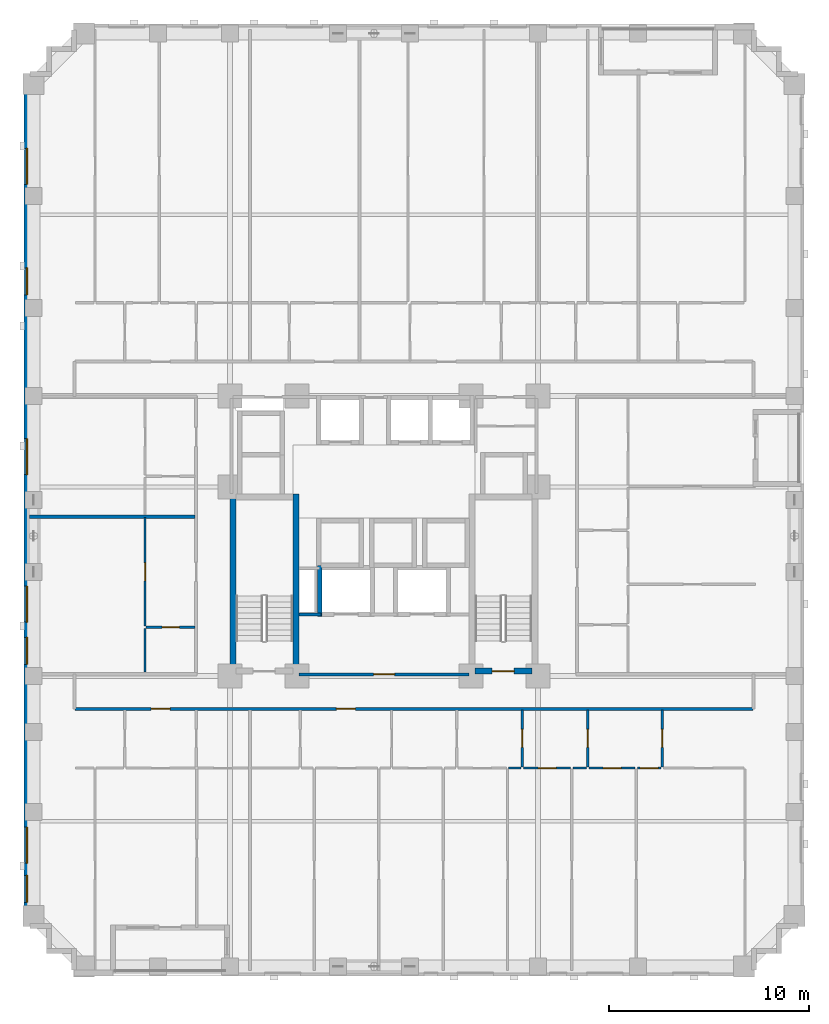
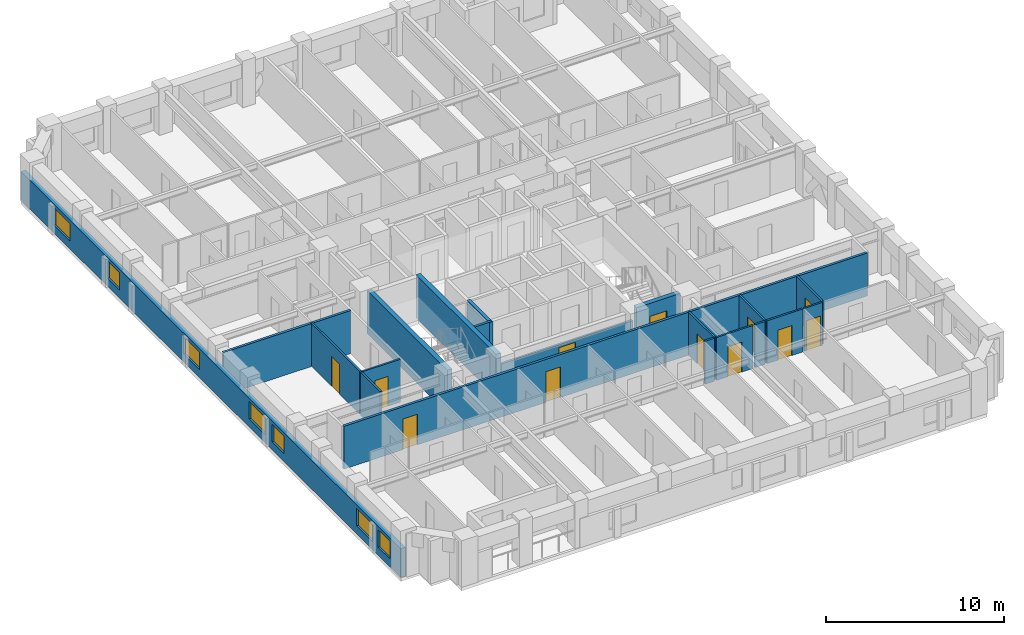
# One storey, part 4 of 14: 20 walls, 12 doors, 7 windows, 19 openings.
"""IFC4 building model written with IfcOpenShell, lengths in metres."""

from ifc_helpers import new_model, si_unit, derived_unit, direction, frame, frame_2d, origin, place, context, subcontext, project, spatial, rectangle, extrude, material, layer, layer_set, type_object, element, fill, save


model = new_model("IFC4")

# Units and contexts
model_context = context("Model", 3, precision=1e-05, world=origin(), true_north=direction((0.0, 1.0)))
body_context = subcontext(model_context, "Body", "Model", "MODEL_VIEW")
ifc_project = project(units=[si_unit("LENGTHUNIT", "METRE"), si_unit("AREAUNIT", "SQUARE_METRE"), si_unit("VOLUMEUNIT", "CUBIC_METRE"), si_unit("PLANEANGLEUNIT", "RADIAN"), si_unit("MASSUNIT", "GRAM", prefix="KILO"), derived_unit("THERMALTRANSMITTANCEUNIT", [(si_unit("MASSUNIT", "GRAM", prefix="KILO"), 1), (si_unit("TIMEUNIT", "SECOND"), -3), (si_unit("THERMODYNAMICTEMPERATUREUNIT", "KELVIN"), -1)])], contexts=[model_context])

# Site, building, storey
site_placement = place(None, origin())
site = spatial("IfcSite", under=ifc_project, at=site_placement, CompositionType="ELEMENT")
building_placement = place(site_placement, origin())
building = spatial("IfcBuilding", under=site, at=building_placement, Name="Korrvale Station Residences", CompositionType="ELEMENT")
storey_placement = place(building_placement, frame((0.0, 0.0, 61.0)))
storey = spatial("IfcBuildingStorey", under=building, at=storey_placement, Name="L16", CompositionType="ELEMENT", Elevation=61.0)

# Walls
ifc_material_1 = material(Name="Concrete C70/85", Category="concrete")
ifc_layer_1 = layer(ifc_material_1, 0.300048828125, Name="Concrete C70/85")
ifc_layer_set_1 = layer_set([ifc_layer_1], Name="Concrete C70/85")
wall_type_1 = type_object("IfcWallType", Name="WAL-CORE-300-C70", PredefinedType="SHEAR", material=ifc_layer_set_1)
for number, where, z_axis, x_axis, name in (
    (1, (17.949951171875, 15.10009765625, 0.0), (0.0, 0.0, 1.0), (0.0, 1.0, 0.0), "L16 ST-1 Core Shear Wall West"),
    (2, (21.10009765625, 15.10009765625, 0.0), (0.0, 0.0, 1.0), (0.0, 1.0, 0.0), "L16 ST-1 Core Shear Wall East"),
):
    element("IfcWall", number, at=place(storey_placement, frame(where, z_axis=z_axis, x_axis=x_axis)), inside=storey, type_object=wall_type_1, Name=name, PredefinedType="SHEAR", context=body_context, shape_type="SweptSolid", body=[
        extrude(rectangle(XDim=9.0, YDim=0.300048828125, at=frame_2d((4.5, 0.0))), origin(), (0.0, 0.0, 1.0), 2.93994140625),
    ])

# Wall, opening, door
wall_1_placement = place(storey_placement, frame((30.050048828125, 15.25, 0.0), z_axis=(0.0, 0.0, 1.0), x_axis=(1.0, 0.0, 0.0)))
wall_1 = element("IfcWall", 3, at=wall_1_placement, inside=storey, type_object=wall_type_1, Name="L16 ST-2 Core Shear Wall South", PredefinedType="SHEAR", context=body_context, shape_type="SweptSolid", body=[
    extrude(rectangle(XDim=2.849853515625, YDim=0.300048828125, at=frame_2d((1.4248046875, 0.0))), origin(), (0.0, 0.0, 1.0), 2.93994140625),
])
opening_1_placement = place(wall_1_placement, frame((0.860107421875, 0.0, 0.0)))
opening_1 = element("IfcOpeningElement", 4, at=opening_1_placement, cuts=wall_1, Name="Opening SD-1100", PredefinedType="OPENING", context=body_context, shape_type="SweptSolid", body=[
    extrude(rectangle(XDim=1.10009765625, YDim=2.050048828125, at=frame_2d((0.550048828125, 1.02490234375))), frame((0.0, 0.16015625, 0.0), z_axis=(0.0, -1.0, 0.0), x_axis=(1.0, 0.0, 0.0)), (0.0, 0.0, 1.0), 0.320068359375),
])
ifc_material_2 = material(Name="Hollow-metal fire-rated stair door with closer", Category="steel")
door_type_1 = type_object("IfcDoorType", Name="DR-STAIR-1100", OperationType="NOTDEFINED", PredefinedType="DOOR", material=ifc_material_2)
door_1_placement = place(opening_1_placement, origin())
door_1 = element("IfcDoor", 5, at=door_1_placement, inside=storey, type_object=door_type_1, Name="L16 ST-2 Exit Stair Door", OperationType="SINGLE_SWING_RIGHT", OverallHeight=2.050048828125, OverallWidth=1.10009765625, PredefinedType="DOOR", context=body_context, shape_type="SweptSolid", body=[
    extrude(rectangle(XDim=1.10009765625, YDim=2.050048828125, at=frame_2d((0.550048828125, 1.02490234375))), frame((0.0, 0.02490234375, 0.0), z_axis=(0.0, -1.0, 0.0), x_axis=(1.0, 0.0, 0.0)), (0.0, 0.0, 1.0), 0.050048828125),
])
fill(opening_1, door_1)

# Wall, openings, windows
ifc_material_3 = material(Name="Precast concrete C45/55", Category="concrete")
ifc_layer_2 = layer(ifc_material_3, 0.300048828125, Name="Precast concrete C45/55")
ifc_layer_set_2 = layer_set([ifc_layer_2], Name="Precast concrete C45/55")
wall_type_2 = type_object("IfcWallType", Name="WAL-EXT-PC300", PredefinedType="SOLIDWALL", material=ifc_layer_set_2)
wall_2_placement = place(storey_placement, frame((7.64990234375, 2.5, 0.0), z_axis=(0.0, 0.0, 1.0), x_axis=(0.0, 1.0, 0.0)))
wall_2 = element("IfcWall", 6, at=wall_2_placement, inside=storey, type_object=wall_type_2, Name="L16 West Exterior Precast Wall 1", PredefinedType="SOLIDWALL", context=body_context, shape_type="SweptSolid", body=[
    extrude(rectangle(XDim=42.60009765625, YDim=0.300048828125, at=frame_2d((21.300048828125, 0.0))), origin(), (0.0, 0.0, 1.0), 1.97509765625),
])
opening_2_placement = place(wall_2_placement, frame((3.14990234375, 0.0, 0.550048828125)))
opening_2 = element("IfcOpeningElement", 7, at=opening_2_placement, cuts=wall_2, Name="Opening W-09", PredefinedType="OPENING", context=body_context, shape_type="SweptSolid", body=[
    extrude(rectangle(XDim=1.800048828125, YDim=1.199951171875, at=frame_2d((0.89990234375, 0.60009765625))), frame((0.0, 0.16015625, 0.0), z_axis=(0.0, -1.0, 0.0), x_axis=(1.0, 0.0, 0.0)), (0.0, 0.0, 1.0), 0.320068359375),
])
opening_3_placement = place(wall_2_placement, frame((1.18505859375, 0.0, 0.550048828125)))
opening_3 = element("IfcOpeningElement", 8, at=opening_3_placement, cuts=wall_2, Name="Opening W-10", PredefinedType="OPENING", context=body_context, shape_type="SweptSolid", body=[
    extrude(rectangle(XDim=1.35009765625, YDim=1.199951171875, at=frame_2d((0.675048828125, 0.60009765625))), frame((0.0, 0.16015625, 0.0), z_axis=(0.0, -1.0, 0.0), x_axis=(1.0, 0.0, 0.0)), (0.0, 0.0, 1.0), 0.320068359375),
])
opening_4_placement = place(wall_2_placement, frame((37.0849609375, 0.0, 0.550048828125)))
opening_4 = element("IfcOpeningElement", 9, at=opening_4_placement, cuts=wall_2, Name="Opening W-09", PredefinedType="OPENING", context=body_context, shape_type="SweptSolid", body=[
    extrude(rectangle(XDim=1.800048828125, YDim=1.199951171875, at=frame_2d((0.89990234375, 0.60009765625))), frame((0.0, 0.16015625, 0.0), z_axis=(0.0, -1.0, 0.0), x_axis=(1.0, 0.0, 0.0)), (0.0, 0.0, 1.0), 0.320068359375),
])
opening_5_placement = place(wall_2_placement, frame((31.550048828125, 0.0, 0.550048828125)))
opening_5 = element("IfcOpeningElement", 10, at=opening_5_placement, cuts=wall_2, Name="Opening W-10", PredefinedType="OPENING", context=body_context, shape_type="SweptSolid", body=[
    extrude(rectangle(XDim=1.35009765625, YDim=1.199951171875, at=frame_2d((0.675048828125, 0.60009765625))), frame((0.0, 0.16015625, 0.0), z_axis=(0.0, -1.0, 0.0), x_axis=(1.0, 0.0, 0.0)), (0.0, 0.0, 1.0), 0.320068359375),
])
opening_6_placement = place(wall_2_placement, frame((15.199951171875, 0.0, 0.550048828125)))
opening_6 = element("IfcOpeningElement", 11, at=opening_6_placement, cuts=wall_2, Name="Opening W-09", PredefinedType="OPENING", context=body_context, shape_type="SweptSolid", body=[
    extrude(rectangle(XDim=1.800048828125, YDim=1.199951171875, at=frame_2d((0.89990234375, 0.60009765625))), frame((0.0, 0.16015625, 0.0), z_axis=(0.0, -1.0, 0.0), x_axis=(1.0, 0.0, 0.0)), (0.0, 0.0, 1.0), 0.320068359375),
])
opening_7_placement = place(wall_2_placement, frame((13.0849609375, 0.0, 0.550048828125)))
opening_7 = element("IfcOpeningElement", 12, at=opening_7_placement, cuts=wall_2, Name="Opening W-10", PredefinedType="OPENING", context=body_context, shape_type="SweptSolid", body=[
    extrude(rectangle(XDim=1.35009765625, YDim=1.199951171875, at=frame_2d((0.675048828125, 0.60009765625))), frame((0.0, 0.16015625, 0.0), z_axis=(0.0, -1.0, 0.0), x_axis=(1.0, 0.0, 0.0)), (0.0, 0.0, 1.0), 0.320068359375),
])
opening_8_placement = place(wall_2_placement, frame((22.574951171875, 0.0, 0.550048828125)))
opening_8 = element("IfcOpeningElement", 13, at=opening_8_placement, cuts=wall_2, Name="Opening W-09", PredefinedType="OPENING", context=body_context, shape_type="SweptSolid", body=[
    extrude(rectangle(XDim=1.800048828125, YDim=1.199951171875, at=frame_2d((0.89990234375, 0.60009765625))), frame((0.0, 0.16015625, 0.0), z_axis=(0.0, -1.0, 0.0), x_axis=(1.0, 0.0, 0.0)), (0.0, 0.0, 1.0), 0.320068359375),
])
ifc_material_4 = material(Name="Thermally broken aluminium frame with triple low-e glazing", Category="aluminium")
window_type_1 = type_object("IfcWindowType", Name="WIN-W09", PartitioningType="DOUBLE_PANEL_VERTICAL", PredefinedType="WINDOW", material=ifc_material_4)
window_1_placement = place(opening_2_placement, origin())
window_1 = element("IfcWindow", 14, at=window_1_placement, inside=storey, type_object=window_type_1, Name="L16 Punched Window 01", OverallHeight=1.199951171875, OverallWidth=1.800048828125, PartitioningType="DOUBLE_PANEL_VERTICAL", PredefinedType="WINDOW", context=body_context, shape_type="SweptSolid", body=[
    extrude(rectangle(XDim=1.800048828125, YDim=1.199951171875, at=frame_2d((0.89990234375, 0.60009765625))), frame((0.0, 0.030029296875, 0.0), z_axis=(0.0, -1.0, 0.0), x_axis=(1.0, 0.0, 0.0)), (0.0, 0.0, 1.0), 0.06005859375),
])
fill(opening_2, window_1)
window_2_placement = place(opening_4_placement, origin())
window_2 = element("IfcWindow", 15, at=window_2_placement, inside=storey, type_object=window_type_1, Name="L16 Punched Window 13", OverallHeight=1.199951171875, OverallWidth=1.800048828125, PartitioningType="DOUBLE_PANEL_VERTICAL", PredefinedType="WINDOW", context=body_context, shape_type="SweptSolid", body=[
    extrude(rectangle(XDim=1.800048828125, YDim=1.199951171875, at=frame_2d((0.89990234375, 0.60009765625))), frame((0.0, 0.030029296875, 0.0), z_axis=(0.0, -1.0, 0.0), x_axis=(1.0, 0.0, 0.0)), (0.0, 0.0, 1.0), 0.06005859375),
])
fill(opening_4, window_2)
window_3_placement = place(opening_6_placement, origin())
window_3 = element("IfcWindow", 16, at=window_3_placement, inside=storey, type_object=window_type_1, Name="L16 Punched Window 25", OverallHeight=1.199951171875, OverallWidth=1.800048828125, PartitioningType="DOUBLE_PANEL_VERTICAL", PredefinedType="WINDOW", context=body_context, shape_type="SweptSolid", body=[
    extrude(rectangle(XDim=1.800048828125, YDim=1.199951171875, at=frame_2d((0.89990234375, 0.60009765625))), frame((0.0, 0.030029296875, 0.0), z_axis=(0.0, -1.0, 0.0), x_axis=(1.0, 0.0, 0.0)), (0.0, 0.0, 1.0), 0.06005859375),
])
fill(opening_6, window_3)
window_4_placement = place(opening_8_placement, origin())
window_4 = element("IfcWindow", 17, at=window_4_placement, inside=storey, type_object=window_type_1, Name="L16 Punched Window 27", OverallHeight=1.199951171875, OverallWidth=1.800048828125, PartitioningType="DOUBLE_PANEL_VERTICAL", PredefinedType="WINDOW", context=body_context, shape_type="SweptSolid", body=[
    extrude(rectangle(XDim=1.800048828125, YDim=1.199951171875, at=frame_2d((0.89990234375, 0.60009765625))), frame((0.0, 0.030029296875, 0.0), z_axis=(0.0, -1.0, 0.0), x_axis=(1.0, 0.0, 0.0)), (0.0, 0.0, 1.0), 0.06005859375),
])
fill(opening_8, window_4)
window_type_2 = type_object("IfcWindowType", Name="WIN-W10", PartitioningType="SINGLE_PANEL", PredefinedType="WINDOW", material=ifc_material_4)
window_5_placement = place(opening_3_placement, origin())
window_5 = element("IfcWindow", 18, at=window_5_placement, inside=storey, type_object=window_type_2, Name="L16 Punched Window 02", OverallHeight=1.199951171875, OverallWidth=1.35009765625, PartitioningType="SINGLE_PANEL", PredefinedType="WINDOW", context=body_context, shape_type="SweptSolid", body=[
    extrude(rectangle(XDim=1.35009765625, YDim=1.199951171875, at=frame_2d((0.675048828125, 0.60009765625))), frame((0.0, 0.030029296875, 0.0), z_axis=(0.0, -1.0, 0.0), x_axis=(1.0, 0.0, 0.0)), (0.0, 0.0, 1.0), 0.06005859375),
])
fill(opening_3, window_5)
window_6_placement = place(opening_5_placement, origin())
window_6 = element("IfcWindow", 19, at=window_6_placement, inside=storey, type_object=window_type_2, Name="L16 Punched Window 14", OverallHeight=1.199951171875, OverallWidth=1.35009765625, PartitioningType="SINGLE_PANEL", PredefinedType="WINDOW", context=body_context, shape_type="SweptSolid", body=[
    extrude(rectangle(XDim=1.35009765625, YDim=1.199951171875, at=frame_2d((0.675048828125, 0.60009765625))), frame((0.0, 0.030029296875, 0.0), z_axis=(0.0, -1.0, 0.0), x_axis=(1.0, 0.0, 0.0)), (0.0, 0.0, 1.0), 0.06005859375),
])
fill(opening_5, window_6)
window_7_placement = place(opening_7_placement, origin())
window_7 = element("IfcWindow", 20, at=window_7_placement, inside=storey, type_object=window_type_2, Name="L16 Punched Window 26", OverallHeight=1.199951171875, OverallWidth=1.35009765625, PartitioningType="SINGLE_PANEL", PredefinedType="WINDOW", context=body_context, shape_type="SweptSolid", body=[
    extrude(rectangle(XDim=1.35009765625, YDim=1.199951171875, at=frame_2d((0.675048828125, 0.60009765625))), frame((0.0, 0.030029296875, 0.0), z_axis=(0.0, -1.0, 0.0), x_axis=(1.0, 0.0, 0.0)), (0.0, 0.0, 1.0), 0.06005859375),
])
fill(opening_7, window_7)

# Wall, opening, door
ifc_material_5 = material(Name="Acoustic steel-stud gypsum board partition", Category="steel")
ifc_layer_3 = layer(ifc_material_5, 0.1201171875, Name="Acoustic steel-stud gypsum board partition")
ifc_layer_set_3 = layer_set([ifc_layer_3], Name="Acoustic steel-stud gypsum board partition")
wall_type_3 = type_object("IfcWallType", Name="WAL-PART-125", PredefinedType="PARTITIONING", material=ifc_layer_set_3)
wall_3_placement = place(storey_placement, frame((32.416015625, 10.4599609375, 0.0), z_axis=(0.0, 0.0, 1.0), x_axis=(0.0, 1.0, 0.0)))
wall_3 = element("IfcWall", 21, at=wall_3_placement, inside=storey, type_object=wall_type_3, Name="L16 Suite Partition U02-V34", PredefinedType="PARTITIONING", context=body_context, shape_type="SweptSolid", body=[
    extrude(rectangle(XDim=2.85009765625, YDim=0.1201171875, at=frame_2d((1.425048828125, 0.0))), origin(), (0.0, 0.0, 1.0), 2.93994140625),
])
opening_9_placement = place(wall_3_placement, frame((0.97509765625, 0.0, 0.0)))
opening_9 = element("IfcOpeningElement", 22, at=opening_9_placement, cuts=wall_3, Name="Opening DI-900", PredefinedType="OPENING", context=body_context, shape_type="SweptSolid", body=[
    extrude(rectangle(XDim=0.89990234375, YDim=2.050048828125, at=frame_2d((0.449951171875, 1.02490234375))), frame((0.0, 0.070068359375, 0.0), z_axis=(0.0, -1.0, 0.0), x_axis=(1.0, 0.0, 0.0)), (0.0, 0.0, 1.0), 0.14013671875),
])
ifc_material_6 = material(Name="Painted solid-core timber interior room door", Category="wood")
door_type_2 = type_object("IfcDoorType", Name="DR-INT-900", OperationType="NOTDEFINED", PredefinedType="DOOR", material=ifc_material_6)
door_2_placement = place(opening_9_placement, origin())
door_2 = element("IfcDoor", 23, at=door_2_placement, inside=storey, type_object=door_type_2, Name="L16 Studio Apartment L16-U02 Home Study Room Door", OperationType="SINGLE_SWING_RIGHT", OverallHeight=2.050048828125, OverallWidth=0.89990234375, PredefinedType="DOOR", context=body_context, shape_type="SweptSolid", body=[
    extrude(rectangle(XDim=0.89990234375, YDim=2.050048828125, at=frame_2d((0.449951171875, 1.02490234375))), frame((0.0, 0.02490234375, 0.0), z_axis=(0.0, -1.0, 0.0), x_axis=(1.0, 0.0, 0.0)), (0.0, 0.0, 1.0), 0.050048828125),
])
fill(opening_9, door_2)

# Wall
wall_4_placement = place(storey_placement, frame((31.736083984375, 10.39990234375, 0.0), z_axis=(0.0, 0.0, 1.0), x_axis=(1.0, 0.0, 0.0)))
element("IfcWall", 24, at=wall_4_placement, inside=storey, type_object=wall_type_3, Name="L16 Suite Partition U02-H311", PredefinedType="PARTITIONING", context=body_context, shape_type="SweptSolid", body=[
    extrude(rectangle(XDim=0.619873046875, YDim=0.1201171875, at=frame_2d((0.31005859375, 0.0))), origin(), (0.0, 0.0, 1.0), 2.93994140625),
])

# Wall, opening, door
wall_5_placement = place(storey_placement, frame((35.68603515625, 10.4599609375, 0.0), z_axis=(0.0, 0.0, 1.0), x_axis=(0.0, 1.0, 0.0)))
wall_5 = element("IfcWall", 25, at=wall_5_placement, inside=storey, type_object=wall_type_3, Name="L16 Suite Partition U02-V45", PredefinedType="PARTITIONING", context=body_context, shape_type="SweptSolid", body=[
    extrude(rectangle(XDim=2.85009765625, YDim=0.1201171875, at=frame_2d((1.425048828125, 0.0))), origin(), (0.0, 0.0, 1.0), 2.93994140625),
])
opening_10_placement = place(wall_5_placement, frame((0.97509765625, 0.0, 0.0)))
opening_10 = element("IfcOpeningElement", 26, at=opening_10_placement, cuts=wall_5, Name="Opening DI-900", PredefinedType="OPENING", context=body_context, shape_type="SweptSolid", body=[
    extrude(rectangle(XDim=0.89990234375, YDim=2.050048828125, at=frame_2d((0.449951171875, 1.02490234375))), frame((0.0, 0.070068359375, 0.0), z_axis=(0.0, -1.0, 0.0), x_axis=(1.0, 0.0, 0.0)), (0.0, 0.0, 1.0), 0.14013671875),
])
door_3_placement = place(opening_10_placement, origin())
door_3 = element("IfcDoor", 27, at=door_3_placement, inside=storey, type_object=door_type_2, Name="L16 Studio Apartment L16-U02 Utility and Laundry Room Door", OperationType="SINGLE_SWING_RIGHT", OverallHeight=2.050048828125, OverallWidth=0.89990234375, PredefinedType="DOOR", context=body_context, shape_type="SweptSolid", body=[
    extrude(rectangle(XDim=0.89990234375, YDim=2.050048828125, at=frame_2d((0.449951171875, 1.02490234375))), frame((0.0, 0.02490234375, 0.0), z_axis=(0.0, -1.0, 0.0), x_axis=(1.0, 0.0, 0.0)), (0.0, 0.0, 1.0), 0.050048828125),
])
fill(opening_10, door_3)

wall_6_placement = place(storey_placement, frame((32.47607421875, 10.39990234375, 0.0), z_axis=(0.0, 0.0, 1.0), x_axis=(1.0, 0.0, 0.0)))
wall_6 = element("IfcWall", 28, at=wall_6_placement, inside=storey, type_object=wall_type_3, Name="L16 Suite Partition U02-H411", PredefinedType="PARTITIONING", context=body_context, shape_type="SweptSolid", body=[
    extrude(rectangle(XDim=2.35986328125, YDim=0.1201171875, at=frame_2d((1.179931640625, 0.0))), origin(), (0.0, 0.0, 1.0), 2.93994140625),
])
opening_11_placement = place(wall_6_placement, frame((0.72998046875, 0.0, 0.0)))
opening_11 = element("IfcOpeningElement", 29, at=opening_11_placement, cuts=wall_6, Name="Opening DI-900", PredefinedType="OPENING", context=body_context, shape_type="SweptSolid", body=[
    extrude(rectangle(XDim=0.89990234375, YDim=2.050048828125, at=frame_2d((0.449951171875, 1.02490234375))), frame((0.0, 0.070068359375, 0.0), z_axis=(0.0, -1.0, 0.0), x_axis=(1.0, 0.0, 0.0)), (0.0, 0.0, 1.0), 0.14013671875),
])
door_4_placement = place(opening_11_placement, origin())
door_4 = element("IfcDoor", 30, at=door_4_placement, inside=storey, type_object=door_type_2, Name="L16 Studio Apartment L16-U02 Utility and Laundry Room Door", OperationType="SINGLE_SWING_LEFT", OverallHeight=2.050048828125, OverallWidth=0.89990234375, PredefinedType="DOOR", context=body_context, shape_type="SweptSolid", body=[
    extrude(rectangle(XDim=0.89990234375, YDim=2.050048828125, at=frame_2d((0.449951171875, 1.02490234375))), frame((0.0, 0.02490234375, 0.0), z_axis=(0.0, -1.0, 0.0), x_axis=(1.0, 0.0, 0.0)), (0.0, 0.0, 1.0), 0.050048828125),
])
fill(opening_11, door_4)

# Wall
wall_7_placement = place(storey_placement, frame((34.9560546875, 10.39990234375, 0.0), z_axis=(0.0, 0.0, 1.0), x_axis=(1.0, 0.0, 0.0)))
element("IfcWall", 31, at=wall_7_placement, inside=storey, type_object=wall_type_3, Name="L16 Suite Partition U02-H412", PredefinedType="PARTITIONING", context=body_context, shape_type="SweptSolid", body=[
    extrude(rectangle(XDim=0.669921875, YDim=0.1201171875, at=frame_2d((0.3349609375, 0.0))), origin(), (0.0, 0.0, 1.0), 2.93994140625),
])

# Wall, opening, door
wall_8_placement = place(storey_placement, frame((39.406005859375, 10.4599609375, 0.0), z_axis=(0.0, 0.0, 1.0), x_axis=(0.0, 1.0, 0.0)))
wall_8 = element("IfcWall", 32, at=wall_8_placement, inside=storey, type_object=wall_type_3, Name="L16 Suite Partition U02-V56", PredefinedType="PARTITIONING", context=body_context, shape_type="SweptSolid", body=[
    extrude(rectangle(XDim=2.85009765625, YDim=0.1201171875, at=frame_2d((1.425048828125, 0.0))), origin(), (0.0, 0.0, 1.0), 2.93994140625),
])
opening_12_placement = place(wall_8_placement, frame((0.97509765625, 0.0, 0.0)))
opening_12 = element("IfcOpeningElement", 33, at=opening_12_placement, cuts=wall_8, Name="Opening DI-900", PredefinedType="OPENING", context=body_context, shape_type="SweptSolid", body=[
    extrude(rectangle(XDim=0.89990234375, YDim=2.050048828125, at=frame_2d((0.449951171875, 1.02490234375))), frame((0.0, 0.070068359375, 0.0), z_axis=(0.0, -1.0, 0.0), x_axis=(1.0, 0.0, 0.0)), (0.0, 0.0, 1.0), 0.14013671875),
])
door_5_placement = place(opening_12_placement, origin())
door_5 = element("IfcDoor", 34, at=door_5_placement, inside=storey, type_object=door_type_2, Name="L16 Studio Apartment L16-U02 Storage Closet 2 Door", OperationType="SINGLE_SWING_RIGHT", OverallHeight=2.050048828125, OverallWidth=0.89990234375, PredefinedType="DOOR", context=body_context, shape_type="SweptSolid", body=[
    extrude(rectangle(XDim=0.89990234375, YDim=2.050048828125, at=frame_2d((0.449951171875, 1.02490234375))), frame((0.0, 0.02490234375, 0.0), z_axis=(0.0, -1.0, 0.0), x_axis=(1.0, 0.0, 0.0)), (0.0, 0.0, 1.0), 0.050048828125),
])
fill(opening_12, door_5)

wall_9_placement = place(storey_placement, frame((35.74609375, 10.39990234375, 0.0), z_axis=(0.0, 0.0, 1.0), x_axis=(1.0, 0.0, 0.0)))
wall_9 = element("IfcWall", 35, at=wall_9_placement, inside=storey, type_object=wall_type_3, Name="L16 Suite Partition U02-H512", PredefinedType="PARTITIONING", context=body_context, shape_type="SweptSolid", body=[
    extrude(rectangle(XDim=2.309814453125, YDim=0.1201171875, at=frame_2d((1.15478515625, 0.0))), origin(), (0.0, 0.0, 1.0), 2.93994140625),
])
opening_13_placement = place(wall_9_placement, frame((0.705078125, 0.0, 0.0)))
opening_13 = element("IfcOpeningElement", 36, at=opening_13_placement, cuts=wall_9, Name="Opening DI-900", PredefinedType="OPENING", context=body_context, shape_type="SweptSolid", body=[
    extrude(rectangle(XDim=0.89990234375, YDim=2.050048828125, at=frame_2d((0.449951171875, 1.02490234375))), frame((0.0, 0.070068359375, 0.0), z_axis=(0.0, -1.0, 0.0), x_axis=(1.0, 0.0, 0.0)), (0.0, 0.0, 1.0), 0.14013671875),
])
door_6_placement = place(opening_13_placement, origin())
door_6 = element("IfcDoor", 37, at=door_6_placement, inside=storey, type_object=door_type_2, Name="L16 Studio Apartment L16-U02 Storage Closet 2 Door", OperationType="SINGLE_SWING_LEFT", OverallHeight=2.050048828125, OverallWidth=0.89990234375, PredefinedType="DOOR", context=body_context, shape_type="SweptSolid", body=[
    extrude(rectangle(XDim=0.89990234375, YDim=2.050048828125, at=frame_2d((0.449951171875, 1.02490234375))), frame((0.0, 0.02490234375, 0.0), z_axis=(0.0, -1.0, 0.0), x_axis=(1.0, 0.0, 0.0)), (0.0, 0.0, 1.0), 0.050048828125),
])
fill(opening_13, door_6)

wall_10_placement = place(storey_placement, frame((38.176025390625, 10.39990234375, 0.0), z_axis=(0.0, 0.0, 1.0), x_axis=(1.0, 0.0, 0.0)))
wall_10 = element("IfcWall", 38, at=wall_10_placement, inside=storey, type_object=wall_type_3, Name="L16 Suite Partition U02-H513", PredefinedType="PARTITIONING", context=body_context, shape_type="SweptSolid", body=[
    extrude(rectangle(XDim=1.169921875, YDim=0.1201171875, at=frame_2d((0.5849609375, 0.0))), origin(), (0.0, 0.0, 1.0), 2.93994140625),
])
opening_14_placement = place(wall_10_placement, frame((0.135009765625, 0.0, 0.0)))
opening_14 = element("IfcOpeningElement", 39, at=opening_14_placement, cuts=wall_10, Name="Opening DI-900", PredefinedType="OPENING", context=body_context, shape_type="SweptSolid", body=[
    extrude(rectangle(XDim=0.89990234375, YDim=2.050048828125, at=frame_2d((0.449951171875, 1.02490234375))), frame((0.0, 0.070068359375, 0.0), z_axis=(0.0, -1.0, 0.0), x_axis=(1.0, 0.0, 0.0)), (0.0, 0.0, 1.0), 0.14013671875),
])
door_7_placement = place(opening_14_placement, origin())
door_7 = element("IfcDoor", 40, at=door_7_placement, inside=storey, type_object=door_type_2, Name="L16 Studio Apartment L16-U02 Storage Closet 2 Door", OperationType="SINGLE_SWING_RIGHT", OverallHeight=2.050048828125, OverallWidth=0.89990234375, PredefinedType="DOOR", context=body_context, shape_type="SweptSolid", body=[
    extrude(rectangle(XDim=0.89990234375, YDim=2.050048828125, at=frame_2d((0.449951171875, 1.02490234375))), frame((0.0, 0.02490234375, 0.0), z_axis=(0.0, -1.0, 0.0), x_axis=(1.0, 0.0, 0.0)), (0.0, 0.0, 1.0), 0.050048828125),
])
fill(opening_14, door_7)

wall_11_placement = place(storey_placement, frame((13.610107421875, 17.428955078125, 0.0), z_axis=(0.0, 0.0, 1.0), x_axis=(1.0, 0.0, 0.0)))
wall_11 = element("IfcWall", 41, at=wall_11_placement, inside=storey, type_object=wall_type_3, Name="L16 Suite Partition U07-H01", PredefinedType="PARTITIONING", context=body_context, shape_type="SweptSolid", body=[
    extrude(rectangle(XDim=2.449951171875, YDim=0.1201171875, at=frame_2d((1.22509765625, 0.0))), origin(), (0.0, 0.0, 1.0), 2.93994140625),
])
opening_15_placement = place(wall_11_placement, frame((0.794921875, 0.0, 0.0)))
opening_15 = element("IfcOpeningElement", 42, at=opening_15_placement, cuts=wall_11, Name="Opening DB-860", PredefinedType="OPENING", context=body_context, shape_type="SweptSolid", body=[
    extrude(rectangle(XDim=0.860107421875, YDim=2.050048828125, at=frame_2d((0.43017578125, 1.02490234375))), frame((0.0, 0.070068359375, 0.0), z_axis=(0.0, -1.0, 0.0), x_axis=(1.0, 0.0, 0.0)), (0.0, 0.0, 1.0), 0.14013671875),
])
ifc_material_7 = material(Name="Moisture-resistant solid-core bathroom door", Category="timber")
door_type_3 = type_object("IfcDoorType", Name="DR-BATH-860", OperationType="NOTDEFINED", PredefinedType="DOOR", material=ifc_material_7)
door_8_placement = place(opening_15_placement, origin())
door_8 = element("IfcDoor", 43, at=door_8_placement, inside=storey, type_object=door_type_3, Name="L16 Apartment 1BR L16-U07 Bathroom Door", OperationType="SINGLE_SWING_RIGHT", OverallHeight=2.050048828125, OverallWidth=0.860107421875, PredefinedType="DOOR", context=body_context, shape_type="SweptSolid", body=[
    extrude(rectangle(XDim=0.860107421875, YDim=2.050048828125, at=frame_2d((0.43017578125, 1.02490234375))), frame((0.0, 0.02490234375, 0.0), z_axis=(0.0, -1.0, 0.0), x_axis=(1.0, 0.0, 0.0)), (0.0, 0.0, 1.0), 0.050048828125),
])
fill(opening_15, door_8)

# Wall
wall_12_placement = place(storey_placement, frame((13.550048828125, 15.2099609375, 0.0), z_axis=(0.0, 0.0, 1.0), x_axis=(0.0, 1.0, 0.0)))
element("IfcWall", 44, at=wall_12_placement, inside=storey, type_object=wall_type_3, Name="L16 Suite Partition U07-V02", PredefinedType="PARTITIONING", context=body_context, shape_type="SweptSolid", body=[
    extrude(rectangle(XDim=2.158935546875, YDim=0.1201171875, at=frame_2d((1.07958984375, 0.0))), origin(), (0.0, 0.0, 1.0), 2.93994140625),
])

# Wall, opening, door
wall_13_placement = place(storey_placement, frame((13.550048828125, 17.489013671875, 0.0), z_axis=(0.0, 0.0, 1.0), x_axis=(0.0, 1.0, 0.0)))
wall_13 = element("IfcWall", 45, at=wall_13_placement, inside=storey, type_object=wall_type_3, Name="L16 Suite Partition U07-V12", PredefinedType="PARTITIONING", context=body_context, shape_type="SweptSolid", body=[
    extrude(rectangle(XDim=5.43310546875, YDim=0.1201171875, at=frame_2d((2.716552734375, 0.0))), origin(), (0.0, 0.0, 1.0), 2.93994140625),
])
opening_16_placement = place(wall_13_placement, frame((2.26611328125, 0.0, 0.0)))
opening_16 = element("IfcOpeningElement", 46, at=opening_16_placement, cuts=wall_13, Name="Opening DI-900", PredefinedType="OPENING", context=body_context, shape_type="SweptSolid", body=[
    extrude(rectangle(XDim=0.89990234375, YDim=2.050048828125, at=frame_2d((0.449951171875, 1.02490234375))), frame((0.0, 0.070068359375, 0.0), z_axis=(0.0, -1.0, 0.0), x_axis=(1.0, 0.0, 0.0)), (0.0, 0.0, 1.0), 0.14013671875),
])
door_9_placement = place(opening_16_placement, origin())
door_9 = element("IfcDoor", 47, at=door_9_placement, inside=storey, type_object=door_type_2, Name="L16 Apartment 1BR L16-U07 Kitchen Door", OperationType="SINGLE_SWING_LEFT", OverallHeight=2.050048828125, OverallWidth=0.89990234375, PredefinedType="DOOR", context=body_context, shape_type="SweptSolid", body=[
    extrude(rectangle(XDim=0.89990234375, YDim=2.050048828125, at=frame_2d((0.449951171875, 1.02490234375))), frame((0.0, 0.02490234375, 0.0), z_axis=(0.0, -1.0, 0.0), x_axis=(1.0, 0.0, 0.0)), (0.0, 0.0, 1.0), 0.050048828125),
])
fill(opening_16, door_9)

ifc_material_8 = material(Name="Fire-rated twin-stud gypsum and mineral wool shaftwall assembly", Category="gypsum")
ifc_layer_4 = layer(ifc_material_8, 0.159912109375, Name="Fire-rated twin-stud gypsum and mineral wool shaftwall assembly")
ifc_layer_set_4 = layer_set([ifc_layer_4], Name="Fire-rated twin-stud gypsum and mineral wool shaftwall assembly")
wall_type_4 = type_object("IfcWallType", Name="WAL-PART-200", PredefinedType="PARTITIONING", material=ifc_layer_set_4)
wall_14_placement = place(storey_placement, frame((21.25, 15.080078125, 0.0), z_axis=(0.0, 0.0, 1.0), x_axis=(1.0, 0.0, 0.0)))
wall_14 = element("IfcWall", 48, at=wall_14_placement, inside=storey, type_object=wall_type_4, Name="L16 Core Partition CW-FFL-S", PredefinedType="PARTITIONING", context=body_context, shape_type="SweptSolid", body=[
    extrude(rectangle(XDim=8.5, YDim=0.159912109375, at=frame_2d((4.25, 0.0))), origin(), (0.0, 0.0, 1.0), 2.23193359375),
])
opening_17_placement = place(wall_14_placement, frame((3.72509765625, 0.0, 0.0)))
opening_17 = element("IfcOpeningElement", 49, at=opening_17_placement, cuts=wall_14, Name="Opening FD-1050", PredefinedType="OPENING", context=body_context, shape_type="SweptSolid", body=[
    extrude(rectangle(XDim=1.050048828125, YDim=2.050048828125, at=frame_2d((0.52490234375, 1.02490234375))), frame((0.0, 0.08984375, 0.0), z_axis=(0.0, -1.0, 0.0), x_axis=(1.0, 0.0, 0.0)), (0.0, 0.0, 1.0), 0.179931640625),
])
ifc_material_9 = material(Name="Fire-rated mineral-core timber lobby door", Category="wood")
door_type_4 = type_object("IfcDoorType", Name="DR-CORE-1050", OperationType="NOTDEFINED", PredefinedType="DOOR", material=ifc_material_9)
door_10_placement = place(opening_17_placement, origin())
door_10 = element("IfcDoor", 50, at=door_10_placement, inside=storey, type_object=door_type_4, Name="L16 Firefighting Lobby Entry Door", OperationType="SINGLE_SWING_RIGHT", OverallHeight=2.050048828125, OverallWidth=1.050048828125, PredefinedType="DOOR", context=body_context, shape_type="SweptSolid", body=[
    extrude(rectangle(XDim=1.050048828125, YDim=2.050048828125, at=frame_2d((0.52490234375, 1.02490234375))), frame((0.0, 0.02490234375, 0.0), z_axis=(0.0, -1.0, 0.0), x_axis=(1.0, 0.0, 0.0)), (0.0, 0.0, 1.0), 0.050048828125),
])
fill(opening_17, door_10)

# Walls
wall_15_placement = place(storey_placement, frame((21.25, 18.080078125, 0.0), z_axis=(0.0, 0.0, 1.0), x_axis=(1.0, 0.0, 0.0)))
element("IfcWall", 51, at=wall_15_placement, inside=storey, type_object=wall_type_4, Name="L16 Core Partition CW-FFL-N1", PredefinedType="PARTITIONING", context=body_context, shape_type="SweptSolid", body=[
    extrude(rectangle(XDim=1.10009765625, YDim=0.159912109375, at=frame_2d((0.550048828125, 0.0))), origin(), (0.0, 0.0, 1.0), 2.93994140625),
])
wall_16_placement = place(storey_placement, frame((7.780029296875, 22.9619140625, 0.0), z_axis=(0.0, 0.0, 1.0), x_axis=(1.0, 0.0, 0.0)))
element("IfcWall", 52, at=wall_16_placement, inside=storey, type_object=wall_type_4, Name="L16 Demising Wall U07-N", PredefinedType="PARTITIONING", context=body_context, shape_type="SweptSolid", body=[
    extrude(rectangle(XDim=8.280029296875, YDim=0.159912109375, at=frame_2d((4.14013671875, 0.0))), origin(), (0.0, 0.0, 1.0), 2.93994140625),
])

# Wall, openings, doors
wall_17_placement = place(storey_placement, frame((10.050048828125, 13.35009765625, 0.0), z_axis=(0.0, 0.0, 1.0), x_axis=(1.0, 0.0, 0.0)))
wall_17 = element("IfcWall", 53, at=wall_17_placement, inside=storey, type_object=wall_type_4, Name="L16 Rated Corridor Wall S", PredefinedType="PARTITIONING", context=body_context, shape_type="SweptSolid", body=[
    extrude(rectangle(XDim=33.89990234375, YDim=0.159912109375, at=frame_2d((16.949951171875, 0.0))), origin(), (0.0, 0.0, 1.0), 2.93994140625),
])
opening_18_placement = place(wall_17_placement, frame((3.800048828125, 0.0, 0.0)))
opening_18 = element("IfcOpeningElement", 54, at=opening_18_placement, cuts=wall_17, Name="Opening UD-950", PredefinedType="OPENING", context=body_context, shape_type="SweptSolid", body=[
    extrude(rectangle(XDim=0.949951171875, YDim=2.10009765625, at=frame_2d((0.47509765625, 1.050048828125))), frame((0.0, 0.08984375, 0.0), z_axis=(0.0, -1.0, 0.0), x_axis=(1.0, 0.0, 0.0)), (0.0, 0.0, 1.0), 0.179931640625),
])
opening_19_placement = place(wall_17_placement, frame((13.071044921875, 0.0, 0.0)))
opening_19 = element("IfcOpeningElement", 55, at=opening_19_placement, cuts=wall_17, Name="Opening UD-950", PredefinedType="OPENING", context=body_context, shape_type="SweptSolid", body=[
    extrude(rectangle(XDim=0.949951171875, YDim=2.10009765625, at=frame_2d((0.47509765625, 1.050048828125))), frame((0.0, 0.08984375, 0.0), z_axis=(0.0, -1.0, 0.0), x_axis=(1.0, 0.0, 0.0)), (0.0, 0.0, 1.0), 0.179931640625),
])
ifc_material_10 = material(Name="Solid-core acoustic oak apartment entrance door", Category="timber")
door_type_5 = type_object("IfcDoorType", Name="DR-UNIT-950", OperationType="NOTDEFINED", PredefinedType="DOOR", material=ifc_material_10)
door_11_placement = place(opening_18_placement, origin())
door_11 = element("IfcDoor", 56, at=door_11_placement, inside=storey, type_object=door_type_5, Name="L16 Apartment L16-U01 Entrance Door", OperationType="SINGLE_SWING_RIGHT", OverallHeight=2.10009765625, OverallWidth=0.949951171875, PredefinedType="DOOR", context=body_context, shape_type="SweptSolid", body=[
    extrude(rectangle(XDim=0.949951171875, YDim=2.10009765625, at=frame_2d((0.47509765625, 1.050048828125))), frame((0.0, 0.02490234375, 0.0), z_axis=(0.0, -1.0, 0.0), x_axis=(1.0, 0.0, 0.0)), (0.0, 0.0, 1.0), 0.050048828125),
])
fill(opening_18, door_11)
door_12_placement = place(opening_19_placement, origin())
door_12 = element("IfcDoor", 57, at=door_12_placement, inside=storey, type_object=door_type_5, Name="L16 Apartment L16-U02 Entrance Door", OperationType="SINGLE_SWING_LEFT", OverallHeight=2.10009765625, OverallWidth=0.949951171875, PredefinedType="DOOR", context=body_context, shape_type="SweptSolid", body=[
    extrude(rectangle(XDim=0.949951171875, YDim=2.10009765625, at=frame_2d((0.47509765625, 1.050048828125))), frame((0.0, 0.02490234375, 0.0), z_axis=(0.0, -1.0, 0.0), x_axis=(1.0, 0.0, 0.0)), (0.0, 0.0, 1.0), 0.050048828125),
])
fill(opening_19, door_12)

# Wall
ifc_layer_5 = layer(ifc_material_1, 0.219970703125, Name="Concrete C70/85")
ifc_layer_set_5 = layer_set([ifc_layer_5], Name="Concrete C70/85")
wall_type_5 = type_object("IfcWallType", Name="WAL-SHAFT-220-C70", PredefinedType="SHEAR", material=ifc_layer_set_5)
wall_18_placement = place(storey_placement, frame((22.2900390625, 17.97998046875, 0.0), z_axis=(0.0, 0.0, 1.0), x_axis=(0.0, 1.0, 0.0)))
element("IfcWall", 58, at=wall_18_placement, inside=storey, type_object=wall_type_5, Name="L16 Elevator FFL-1 Hoistway Wall West", PredefinedType="SHEAR", context=body_context, shape_type="SweptSolid", body=[
    extrude(rectangle(XDim=2.5400390625, YDim=0.219970703125, at=frame_2d((1.27001953125, 0.0))), origin(), (0.0, 0.0, 1.0), 2.93994140625),
])

save(model, "model.ifc")
